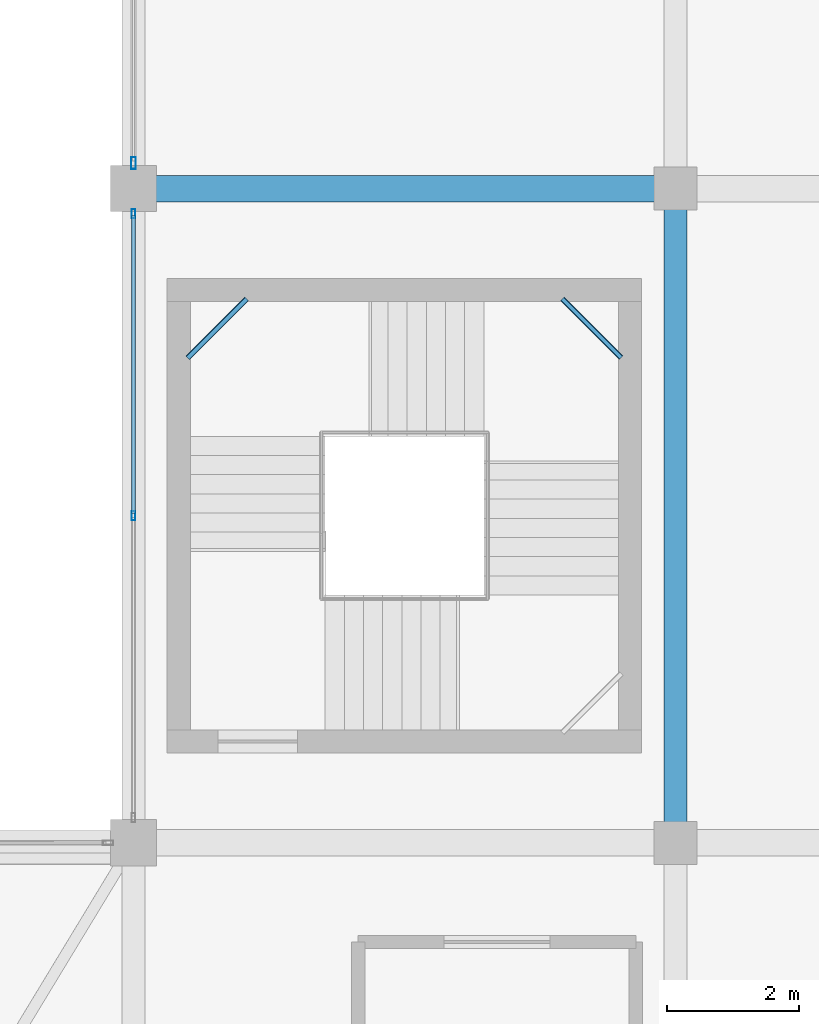
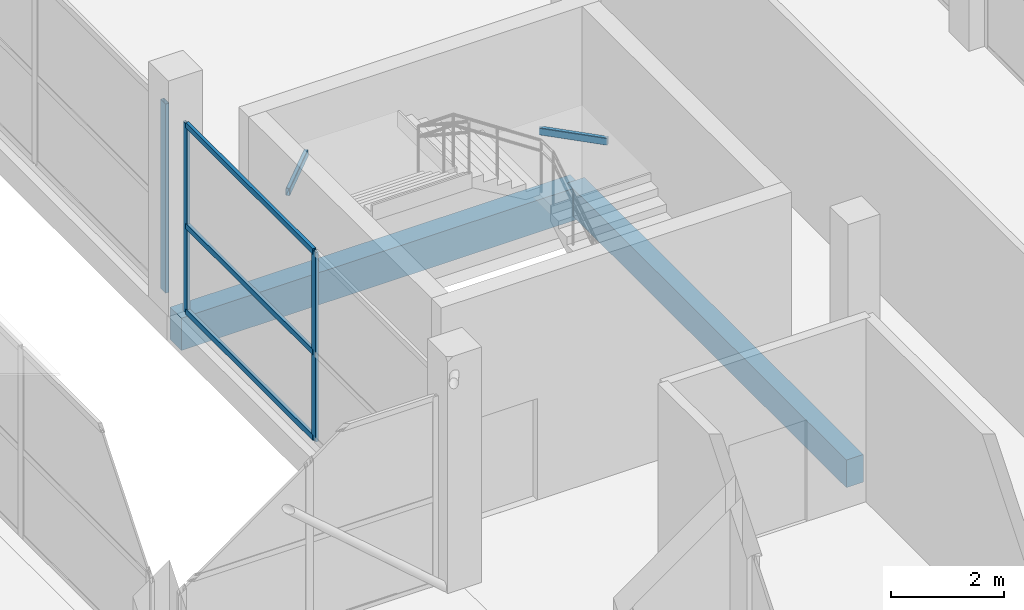
# One storey, part 32 of 67: 6 members, 4 beams, 2 elements without a shape of their own.
"""IFC4 building model written with IfcOpenShell, lengths in metres."""

from ifc_helpers import new_model, si_unit, direction, frame, origin, origin_2d, place, context, subcontext, project, spatial, rectangle, hollow_rectangle, extrude, material, layer, layer_set, material_profile, profile_set, type_object, element, aggregate, save


model = new_model("IFC4")

# Units and contexts
model_context = context("Model", 3, precision=1e-05, world=origin(), true_north=direction((0.0, 1.0)))
body_context = subcontext(model_context, "Body", "Model", "MODEL_VIEW")
ifc_project = project(units=[si_unit("LENGTHUNIT", "METRE"), si_unit("AREAUNIT", "SQUARE_METRE"), si_unit("VOLUMEUNIT", "CUBIC_METRE"), si_unit("PLANEANGLEUNIT", "RADIAN"), si_unit("MASSUNIT", "GRAM", prefix="KILO")], contexts=[model_context])

# Site, building, storey
site_placement = place(None, origin())
site = spatial("IfcSite", under=ifc_project, at=site_placement, CompositionType="ELEMENT")
building_placement = place(site_placement, origin())
building = spatial("IfcBuilding", under=site, at=building_placement, Name="Sillaruma Civic Art Gallery", CompositionType="ELEMENT")
storey_placement = place(building_placement, frame((0.0, 0.0, 46.919921875)))
storey = spatial("IfcBuildingStorey", under=building, at=storey_placement, Name="L09", CompositionType="ELEMENT", Elevation=46.919921875)

# Beams
ifc_material_1 = material(Name="Concrete H35 (35 MPa)", Category="concrete")
ifc_material_profile_1 = material_profile(ifc_material_1, rectangle(XDim=0.35009765625, YDim=0.60009765625, at=origin_2d()), Name="RCB350x600")
ifc_profile_set_1 = profile_set([ifc_material_profile_1], Name="Concrete H35 (35 MPa)")
beam_type_1 = type_object("IfcBeamType", Name="BM-BEAM-RCB350x600", PredefinedType="BEAM", material=ifc_profile_set_1)
beam_1_placement = place(storey_placement, frame((106.199951171875, 49.5, -0.5498046875), z_axis=(0.0, 1.0, 0.0), x_axis=(-1.0, 0.0, 0.0)))
element("IfcBeam", 1, at=beam_1_placement, inside=storey, type_object=beam_type_1, Name="Beam BM-06 (L08:M:6-7)", PredefinedType="BEAM", context=body_context, shape_type="SweptSolid", body=[
    extrude(rectangle(XDim=0.35009765625, YDim=0.60009765625, at=origin_2d()), origin(), (0.0, 0.0, 1.0), 9.89990234375),
])
ifc_material_profile_2 = material_profile(ifc_material_1, rectangle(XDim=0.39990234375, YDim=0.699951171875, at=origin_2d()), Name="RCB400x700")
ifc_profile_set_2 = profile_set([ifc_material_profile_2], Name="Concrete H35 (35 MPa)")
beam_type_2 = type_object("IfcBeamType", Name="BM-BEAM-RCB400x700", PredefinedType="BEAM", material=ifc_profile_set_2)
beam_2_placement = place(storey_placement, frame((98.0, 59.39990234375, -0.599853515625), z_axis=(1.0, 0.0, 0.0), x_axis=(0.0, 1.0, 0.0)))
element("IfcBeam", 2, at=beam_2_placement, inside=storey, type_object=beam_type_2, Name="Beam BM-04 (L08:7:L-M)", PredefinedType="BEAM", context=body_context, shape_type="SweptSolid", body=[
    extrude(rectangle(XDim=0.39990234375, YDim=0.699951171875, at=origin_2d()), origin(), (0.0, 0.0, 1.0), 8.199951171875),
])
ifc_material_2 = material(Name="Structural Steel ASTM A500 Gr.C", Category="steel")
ifc_material_profile_3 = material_profile(ifc_material_2, hollow_rectangle(XDim=0.080078125, YDim=0.159912109375, WallThickness=0.008056640625, InnerFilletRadius=0.008056640625, OuterFilletRadius=0.01611328125, at=origin_2d()), Name="HSS160x80x8")
ifc_profile_set_3 = profile_set([ifc_material_profile_3], Name="Structural Steel ASTM A500 Gr.C")
beam_type_3 = type_object("IfcBeamType", Name="BM-LND-HSS160", PredefinedType="BEAM", material=ifc_profile_set_3)
for number, where, z_axis, x_axis, name in (
    (3, (104.489990234375, 57.72998046875, 2.440185546875), (0.707106781187, -0.707106781187, 0.0), (0.707106781187, 0.707106781187, 0.0), "Stair Corner Landing Trimmer Beam (ST-04-L09-2)"),
    (4, (98.820068359375, 56.840087890625, 3.630126953125), (0.707106781187, 0.707106781187, 0.0), (-0.707106781187, 0.707106781187, 0.0), "Stair Corner Landing Trimmer Beam (ST-04-L09-3)"),
):
    element("IfcBeam", number, at=place(storey_placement, frame(where, z_axis=z_axis, x_axis=x_axis)), inside=storey, type_object=beam_type_3, Name=name, PredefinedType="BEAM", context=body_context, shape_type="SweptSolid", body=[
        extrude(hollow_rectangle(XDim=0.080078125, YDim=0.159912109375, WallThickness=0.008056640625, InnerFilletRadius=0.008056640625, OuterFilletRadius=0.01611328125, at=origin_2d()), origin(), (0.0, 0.0, 1.0), 1.258544921875),
    ])

# Curtain wall, members
ifc_material_3 = material(Name="Thermally Broken Extruded Aluminium 6063-T6", Category="aluminium")
ifc_layer_1 = layer(ifc_material_3, 0.139892578125, Name="Thermally Broken Extruded Aluminium 6063-T6")
ifc_layer_set_1 = layer_set([ifc_layer_1], Name="Thermally Broken Extruded Aluminium 6063-T6")
curtain_wall_type_1 = type_object("IfcCurtainWallType", Name="CW-UNI-70", PredefinedType="NOTDEFINED", material=ifc_layer_set_1)
curtain_wall_1_placement = place(storey_placement, origin())
curtain_wall_1 = element("IfcCurtainWall", 5, at=curtain_wall_1_placement, inside=storey, type_object=curtain_wall_type_1, Name="Unitised Curtain Wall CW-70 (CW-L09-EBW-4)", PredefinedType="NOTDEFINED")
ifc_material_profile_4 = material_profile(ifc_material_3, hollow_rectangle(XDim=0.06005859375, YDim=0.139892578125, WallThickness=0.00341796875, at=origin_2d()), Name="CWM60x140")
ifc_profile_set_4 = profile_set([ifc_material_profile_4], Name="Thermally Broken Extruded Aluminium 6063-T6")
member_type_1 = type_object("IfcMemberType", Name="MEM-MUL-CWM60x140", PredefinedType="MULLION", material=ifc_profile_set_4)
member_1_placement = place(storey_placement, frame((98.0, 54.449951171875, 0.0), z_axis=(0.0, 0.0, 1.0), x_axis=(-1.0, 0.0, 0.0)))
member_1 = element("IfcMember", 6, at=member_1_placement, type_object=member_type_1, Name="CW-70 mullion 2", PredefinedType="MULLION", context=body_context, shape_type="SweptSolid", body=[
    extrude(hollow_rectangle(XDim=0.06005859375, YDim=0.139892578125, WallThickness=0.00341796875, at=origin_2d()), origin(), (0.0, 0.0, 1.0), 4.10009765625),
])
member_2_placement = place(storey_placement, frame((98.0, 59.02001953125, 0.0), z_axis=(0.0, 0.0, 1.0), x_axis=(-1.0, 0.0, 0.0)))
member_2 = element("IfcMember", 7, at=member_2_placement, type_object=member_type_1, Name="CW-70 mullion 3", PredefinedType="MULLION", context=body_context, shape_type="SweptSolid", body=[
    extrude(hollow_rectangle(XDim=0.06005859375, YDim=0.139892578125, WallThickness=0.00341796875, at=origin_2d()), origin(), (0.0, 0.0, 1.0), 4.10009765625),
])

# Curtain wall, member
ifc_layer_2 = layer(ifc_material_3, 0.179931640625, Name="Thermally Broken Extruded Aluminium 6063-T6")
ifc_layer_set_2 = layer_set([ifc_layer_2], Name="Thermally Broken Extruded Aluminium 6063-T6")
curtain_wall_type_2 = type_object("IfcCurtainWallType", Name="CW-UNI-66", PredefinedType="NOTDEFINED", material=ifc_layer_set_2)
curtain_wall_2_placement = place(storey_placement, origin())
curtain_wall_2 = element("IfcCurtainWall", 8, at=curtain_wall_2_placement, inside=storey, type_object=curtain_wall_type_2, Name="Unitised Curtain Wall CW-66 (CW-L09-EBW-5)", PredefinedType="NOTDEFINED")
ifc_material_profile_5 = material_profile(ifc_material_3, hollow_rectangle(XDim=0.070068359375, YDim=0.179931640625, WallThickness=0.00390625, at=origin_2d()), Name="CWM70x180")
ifc_profile_set_5 = profile_set([ifc_material_profile_5], Name="Thermally Broken Extruded Aluminium 6063-T6")
member_type_2 = type_object("IfcMemberType", Name="MEM-MUL-CWM70x180", PredefinedType="MULLION", material=ifc_profile_set_5)
member_3_placement = place(storey_placement, frame((98.0, 59.784912109375, 0.0), z_axis=(0.0, 0.0, 1.0), x_axis=(-1.0, 0.0, 0.0)))
member_3 = element("IfcMember", 9, at=member_3_placement, type_object=member_type_2, Name="CW-66 mullion 1", PredefinedType="MULLION", context=body_context, shape_type="SweptSolid", body=[
    extrude(hollow_rectangle(XDim=0.070068359375, YDim=0.179931640625, WallThickness=0.00390625, at=origin_2d()), origin(), (0.0, 0.0, 1.0), 4.10009765625),
])
aggregate(curtain_wall_2, [member_3])

# Member
ifc_material_profile_6 = material_profile(ifc_material_3, hollow_rectangle(XDim=0.06494140625, YDim=0.1201171875, WallThickness=0.00341796875, at=origin_2d()), Name="CWT65x120")
ifc_profile_set_6 = profile_set([ifc_material_profile_6], Name="Thermally Broken Extruded Aluminium 6063-T6")
member_type_3 = type_object("IfcMemberType", Name="MEM-TRN-CWT65x120", PredefinedType="USERDEFINED", material=ifc_profile_set_6)
member_4_placement = place(storey_placement, frame((98.0, 54.47998046875, 0.032470703125), z_axis=(0.0, 1.0, 0.0), x_axis=(-1.0, 0.0, 0.0)))
member_4 = element("IfcMember", 10, at=member_4_placement, type_object=member_type_3, Name="CW-70 transom 2.1", ObjectType="TRANSOM", PredefinedType="USERDEFINED", context=body_context, shape_type="SweptSolid", body=[
    extrude(hollow_rectangle(XDim=0.06494140625, YDim=0.1201171875, WallThickness=0.00341796875, at=origin_2d()), origin(), (0.0, 0.0, 1.0), 4.510009765625),
])

member_5_placement = place(storey_placement, frame((98.0, 54.47998046875, 1.885986328125), z_axis=(0.0, 1.0, 0.0), x_axis=(-1.0, 0.0, 0.0)))
member_5 = element("IfcMember", 11, at=member_5_placement, type_object=member_type_3, Name="CW-70 transom 2.2", ObjectType="TRANSOM", PredefinedType="USERDEFINED", context=body_context, shape_type="SweptSolid", body=[
    extrude(hollow_rectangle(XDim=0.06494140625, YDim=0.1201171875, WallThickness=0.00341796875, at=origin_2d()), origin(), (0.0, 0.0, 1.0), 4.510009765625),
])

member_6_placement = place(storey_placement, frame((98.0, 54.47998046875, 4.067626953125), z_axis=(0.0, 1.0, 0.0), x_axis=(-1.0, 0.0, 0.0)))
member_6 = element("IfcMember", 12, at=member_6_placement, type_object=member_type_3, Name="CW-70 transom 2.3", ObjectType="TRANSOM", PredefinedType="USERDEFINED", context=body_context, shape_type="SweptSolid", body=[
    extrude(hollow_rectangle(XDim=0.06494140625, YDim=0.1201171875, WallThickness=0.00341796875, at=origin_2d()), origin(), (0.0, 0.0, 1.0), 4.510009765625),
])

aggregate(curtain_wall_1, [member_1, member_2, member_4, member_5, member_6])

save(model, "model.ifc")
